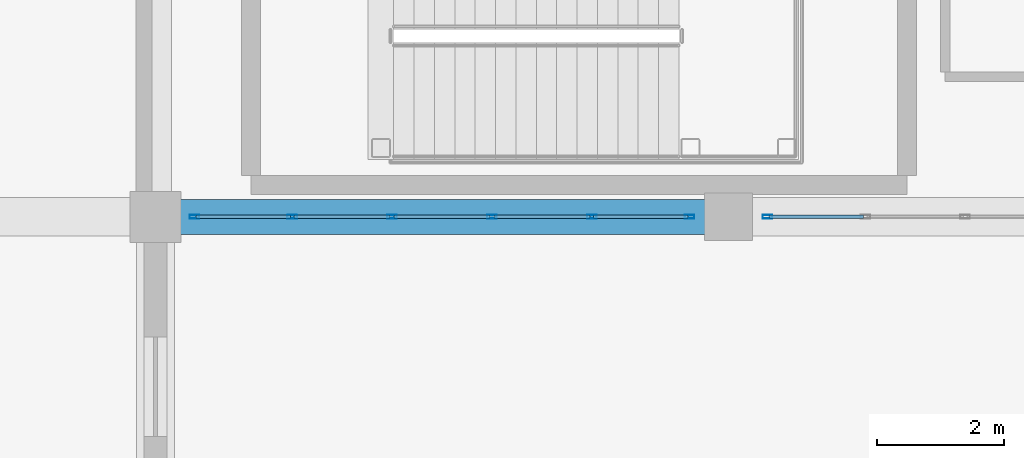
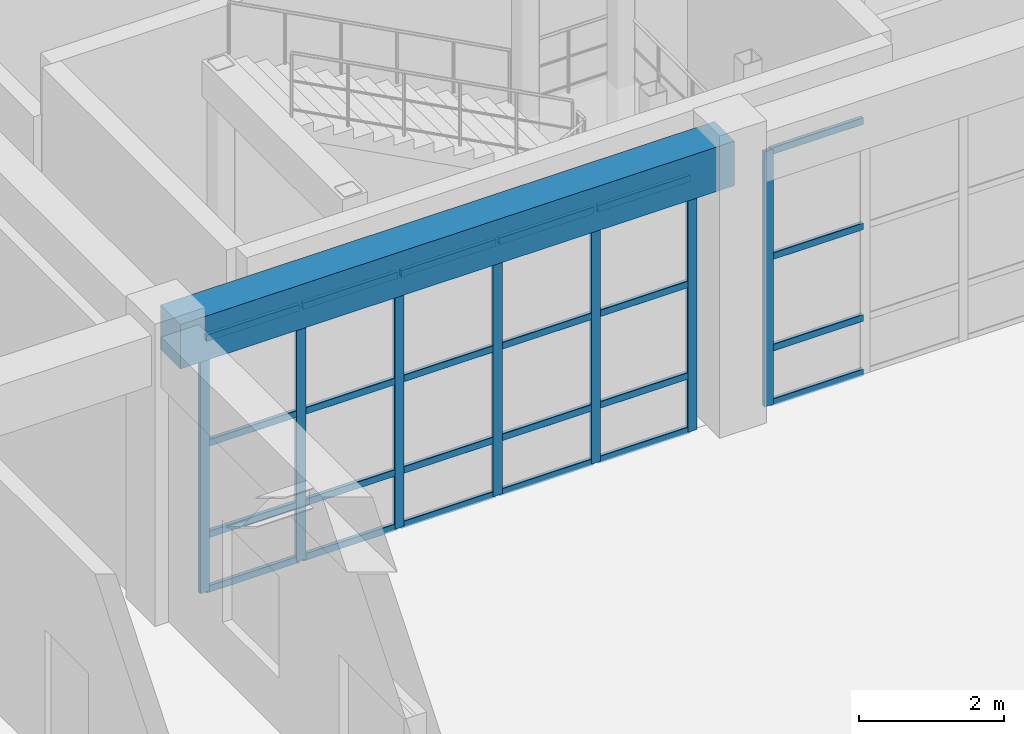
# One storey, part 70 of 128: 31 members, 1 beam, 2 elements without a shape of their own.
"""IFC4 building model written with IfcOpenShell, lengths in metres."""

from ifc_helpers import new_model, si_unit, direction, frame, origin, origin_2d, place, context, subcontext, project, spatial, rectangle, hollow_rectangle, extrude, material, material_profile, profile_set, type_object, element, aggregate, save


model = new_model("IFC4")

# Units and contexts
model_context = context("Model", 3, precision=1e-05, world=origin(), true_north=direction((0.0, 1.0)))
body_context = subcontext(model_context, "Body", "Model", "MODEL_VIEW")
ifc_project = project(units=[si_unit("LENGTHUNIT", "METRE"), si_unit("AREAUNIT", "SQUARE_METRE"), si_unit("VOLUMEUNIT", "CUBIC_METRE"), si_unit("PLANEANGLEUNIT", "RADIAN"), si_unit("MASSUNIT", "GRAM", prefix="KILO")], contexts=[model_context])

# Site, building, storey
site_placement = place(None, origin())
site = spatial("IfcSite", under=ifc_project, at=site_placement, CompositionType="ELEMENT")
building_placement = place(site_placement, origin())
building = spatial("IfcBuilding", under=site, at=building_placement, Name="Miravela Opera House", CompositionType="ELEMENT")
storey_placement = place(building_placement, origin())
storey = spatial("IfcBuildingStorey", under=building, at=storey_placement, Name="L00", CompositionType="ELEMENT", Elevation=0.0)

# Curtain wall, members
ifc_material_1 = material(Name="Anodised architectural bronze aluminium 6063-T6", Category="aluminium")
curtain_wall_type = type_object("IfcCurtainWallType", Name="ARC-CW-05", PredefinedType="NOTDEFINED", material=ifc_material_1)
curtain_wall_1_placement = place(storey_placement, origin())
curtain_wall_1 = element("IfcCurtainWall", 1, at=curtain_wall_1_placement, inside=storey, type_object=curtain_wall_type, Name="Courtyard Arcade Curtain Wall CW-L00-157", PredefinedType="NOTDEFINED")
ifc_material_profile_1 = material_profile(ifc_material_1, hollow_rectangle(XDim=0.06005859375, YDim=0.14990234375, WallThickness=0.00390625, InnerFilletRadius=0.001953125, OuterFilletRadius=0.00390625, at=origin_2d()), Name="CWM-60X150")
ifc_profile_set_1 = profile_set([ifc_material_profile_1])
member_type_1 = type_object("IfcMemberType", Name="ARC-CWM-150", PredefinedType="MULLION", material=ifc_profile_set_1)
member_1_placement = place(storey_placement, frame((117.610107421875, 103.0, 0.0), z_axis=(0.0, 0.0, 1.0), x_axis=(0.0, 1.0, 0.0)))
member_1 = element("IfcMember", 2, at=member_1_placement, type_object=member_type_1, Name="CW-05 mullion 1", PredefinedType="MULLION", context=body_context, shape_type="SweptSolid", body=[
    extrude(hollow_rectangle(XDim=0.06005859375, YDim=0.14990234375, WallThickness=0.00390625, InnerFilletRadius=0.001953125, OuterFilletRadius=0.00390625, at=origin_2d()), origin(), (0.0, 0.0, 1.0), 4.300048828125),
])
member_2_placement = place(storey_placement, frame((119.14794921875, 103.0, 0.0), z_axis=(0.0, 0.0, 1.0), x_axis=(0.0, 1.0, 0.0)))
member_2 = element("IfcMember", 3, at=member_2_placement, type_object=member_type_1, Name="CW-05 mullion 2", PredefinedType="MULLION", context=body_context, shape_type="SweptSolid", body=[
    extrude(hollow_rectangle(XDim=0.06005859375, YDim=0.14990234375, WallThickness=0.00390625, InnerFilletRadius=0.001953125, OuterFilletRadius=0.00390625, at=origin_2d()), origin(), (0.0, 0.0, 1.0), 4.300048828125),
])
member_3_placement = place(storey_placement, frame((120.716064453125, 103.0, 0.0), z_axis=(0.0, 0.0, 1.0), x_axis=(0.0, 1.0, 0.0)))
member_3 = element("IfcMember", 4, at=member_3_placement, type_object=member_type_1, Name="CW-05 mullion 3", PredefinedType="MULLION", context=body_context, shape_type="SweptSolid", body=[
    extrude(hollow_rectangle(XDim=0.06005859375, YDim=0.14990234375, WallThickness=0.00390625, InnerFilletRadius=0.001953125, OuterFilletRadius=0.00390625, at=origin_2d()), origin(), (0.0, 0.0, 1.0), 4.300048828125),
])
member_4_placement = place(storey_placement, frame((122.283935546875, 103.0, 0.0), z_axis=(0.0, 0.0, 1.0), x_axis=(0.0, 1.0, 0.0)))
member_4 = element("IfcMember", 5, at=member_4_placement, type_object=member_type_1, Name="CW-05 mullion 4", PredefinedType="MULLION", context=body_context, shape_type="SweptSolid", body=[
    extrude(hollow_rectangle(XDim=0.06005859375, YDim=0.14990234375, WallThickness=0.00390625, InnerFilletRadius=0.001953125, OuterFilletRadius=0.00390625, at=origin_2d()), origin(), (0.0, 0.0, 1.0), 4.300048828125),
])
member_5_placement = place(storey_placement, frame((123.85205078125, 103.0, 0.0), z_axis=(0.0, 0.0, 1.0), x_axis=(0.0, 1.0, 0.0)))
member_5 = element("IfcMember", 6, at=member_5_placement, type_object=member_type_1, Name="CW-05 mullion 5", PredefinedType="MULLION", context=body_context, shape_type="SweptSolid", body=[
    extrude(hollow_rectangle(XDim=0.06005859375, YDim=0.14990234375, WallThickness=0.00390625, InnerFilletRadius=0.001953125, OuterFilletRadius=0.00390625, at=origin_2d()), origin(), (0.0, 0.0, 1.0), 4.300048828125),
])
member_6_placement = place(storey_placement, frame((125.389892578125, 103.0, 0.0), z_axis=(0.0, 0.0, 1.0), x_axis=(0.0, 1.0, 0.0)))
member_6 = element("IfcMember", 7, at=member_6_placement, type_object=member_type_1, Name="CW-05 mullion 6", PredefinedType="MULLION", context=body_context, shape_type="SweptSolid", body=[
    extrude(hollow_rectangle(XDim=0.06005859375, YDim=0.14990234375, WallThickness=0.00390625, InnerFilletRadius=0.001953125, OuterFilletRadius=0.00390625, at=origin_2d()), origin(), (0.0, 0.0, 1.0), 4.300048828125),
])

# Curtain wall, member
curtain_wall_2_placement = place(storey_placement, origin())
curtain_wall_2 = element("IfcCurtainWall", 8, at=curtain_wall_2_placement, inside=storey, type_object=curtain_wall_type, Name="Courtyard Arcade Curtain Wall CW-L00-161", PredefinedType="NOTDEFINED")
member_7_placement = place(storey_placement, frame((126.610107421875, 103.0, 0.0), z_axis=(0.0, 0.0, 1.0), x_axis=(0.0, 1.0, 0.0)))
member_7 = element("IfcMember", 9, at=member_7_placement, type_object=member_type_1, Name="CW-05 mullion 1", PredefinedType="MULLION", context=body_context, shape_type="SweptSolid", body=[
    extrude(hollow_rectangle(XDim=0.06005859375, YDim=0.14990234375, WallThickness=0.00390625, InnerFilletRadius=0.001953125, OuterFilletRadius=0.00390625, at=origin_2d()), origin(), (0.0, 0.0, 1.0), 4.300048828125),
])

# Member
ifc_material_profile_2 = material_profile(ifc_material_1, hollow_rectangle(XDim=0.06005859375, YDim=0.114990234375, WallThickness=0.00390625, InnerFilletRadius=0.001953125, OuterFilletRadius=0.00390625, at=origin_2d()), Name="CWT-60X115")
ifc_profile_set_2 = profile_set([ifc_material_profile_2])
member_type_2 = type_object("IfcMemberType", Name="ARC-CWT-115", PredefinedType="USERDEFINED", material=ifc_profile_set_2)
member_8_placement = place(storey_placement, frame((117.639892578125, 103.0, 0.030029296875), z_axis=(1.0, 0.0, 0.0), x_axis=(0.0, 1.0, 0.0)))
member_8 = element("IfcMember", 10, at=member_8_placement, type_object=member_type_2, Name="CW-05 transom 1.1", ObjectType="TRANSOM", PredefinedType="USERDEFINED", context=body_context, shape_type="SweptSolid", body=[
    extrude(hollow_rectangle(XDim=0.06005859375, YDim=0.114990234375, WallThickness=0.00390625, InnerFilletRadius=0.001953125, OuterFilletRadius=0.00390625, at=origin_2d()), origin(), (0.0, 0.0, 1.0), 1.47802734375),
])

member_9_placement = place(storey_placement, frame((117.639892578125, 103.0, 0.949951171875), z_axis=(1.0, 0.0, 0.0), x_axis=(0.0, 1.0, 0.0)))
member_9 = element("IfcMember", 11, at=member_9_placement, type_object=member_type_2, Name="CW-05 transom 1.2", ObjectType="TRANSOM", PredefinedType="USERDEFINED", context=body_context, shape_type="SweptSolid", body=[
    extrude(hollow_rectangle(XDim=0.06005859375, YDim=0.114990234375, WallThickness=0.00390625, InnerFilletRadius=0.001953125, OuterFilletRadius=0.00390625, at=origin_2d()), origin(), (0.0, 0.0, 1.0), 1.47802734375),
])

member_10_placement = place(storey_placement, frame((117.639892578125, 103.0, 2.493896484375), z_axis=(1.0, 0.0, 0.0), x_axis=(0.0, 1.0, 0.0)))
member_10 = element("IfcMember", 12, at=member_10_placement, type_object=member_type_2, Name="CW-05 transom 1.3", ObjectType="TRANSOM", PredefinedType="USERDEFINED", context=body_context, shape_type="SweptSolid", body=[
    extrude(hollow_rectangle(XDim=0.06005859375, YDim=0.114990234375, WallThickness=0.00390625, InnerFilletRadius=0.001953125, OuterFilletRadius=0.00390625, at=origin_2d()), origin(), (0.0, 0.0, 1.0), 1.47802734375),
])

member_11_placement = place(storey_placement, frame((117.639892578125, 103.0, 4.27001953125), z_axis=(1.0, 0.0, 0.0), x_axis=(0.0, 1.0, 0.0)))
member_11 = element("IfcMember", 13, at=member_11_placement, type_object=member_type_2, Name="CW-05 transom 1.4", ObjectType="TRANSOM", PredefinedType="USERDEFINED", context=body_context, shape_type="SweptSolid", body=[
    extrude(hollow_rectangle(XDim=0.06005859375, YDim=0.114990234375, WallThickness=0.00390625, InnerFilletRadius=0.001953125, OuterFilletRadius=0.00390625, at=origin_2d()), origin(), (0.0, 0.0, 1.0), 1.47802734375),
])

member_12_placement = place(storey_placement, frame((119.177978515625, 103.0, 0.030029296875), z_axis=(1.0, 0.0, 0.0), x_axis=(0.0, 1.0, 0.0)))
member_12 = element("IfcMember", 14, at=member_12_placement, type_object=member_type_2, Name="CW-05 transom 2.1", ObjectType="TRANSOM", PredefinedType="USERDEFINED", context=body_context, shape_type="SweptSolid", body=[
    extrude(hollow_rectangle(XDim=0.06005859375, YDim=0.114990234375, WallThickness=0.00390625, InnerFilletRadius=0.001953125, OuterFilletRadius=0.00390625, at=origin_2d()), origin(), (0.0, 0.0, 1.0), 1.508056640625),
])

member_13_placement = place(storey_placement, frame((119.177978515625, 103.0, 0.949951171875), z_axis=(1.0, 0.0, 0.0), x_axis=(0.0, 1.0, 0.0)))
member_13 = element("IfcMember", 15, at=member_13_placement, type_object=member_type_2, Name="CW-05 transom 2.2", ObjectType="TRANSOM", PredefinedType="USERDEFINED", context=body_context, shape_type="SweptSolid", body=[
    extrude(hollow_rectangle(XDim=0.06005859375, YDim=0.114990234375, WallThickness=0.00390625, InnerFilletRadius=0.001953125, OuterFilletRadius=0.00390625, at=origin_2d()), origin(), (0.0, 0.0, 1.0), 1.508056640625),
])

member_14_placement = place(storey_placement, frame((119.177978515625, 103.0, 2.493896484375), z_axis=(1.0, 0.0, 0.0), x_axis=(0.0, 1.0, 0.0)))
member_14 = element("IfcMember", 16, at=member_14_placement, type_object=member_type_2, Name="CW-05 transom 2.3", ObjectType="TRANSOM", PredefinedType="USERDEFINED", context=body_context, shape_type="SweptSolid", body=[
    extrude(hollow_rectangle(XDim=0.06005859375, YDim=0.114990234375, WallThickness=0.00390625, InnerFilletRadius=0.001953125, OuterFilletRadius=0.00390625, at=origin_2d()), origin(), (0.0, 0.0, 1.0), 1.508056640625),
])

member_15_placement = place(storey_placement, frame((119.177978515625, 103.0, 4.27001953125), z_axis=(1.0, 0.0, 0.0), x_axis=(0.0, 1.0, 0.0)))
member_15 = element("IfcMember", 17, at=member_15_placement, type_object=member_type_2, Name="CW-05 transom 2.4", ObjectType="TRANSOM", PredefinedType="USERDEFINED", context=body_context, shape_type="SweptSolid", body=[
    extrude(hollow_rectangle(XDim=0.06005859375, YDim=0.114990234375, WallThickness=0.00390625, InnerFilletRadius=0.001953125, OuterFilletRadius=0.00390625, at=origin_2d()), origin(), (0.0, 0.0, 1.0), 1.508056640625),
])

member_16_placement = place(storey_placement, frame((120.74609375, 103.0, 0.030029296875), z_axis=(1.0, 0.0, 0.0), x_axis=(0.0, 1.0, 0.0)))
member_16 = element("IfcMember", 18, at=member_16_placement, type_object=member_type_2, Name="CW-05 transom 3.1", ObjectType="TRANSOM", PredefinedType="USERDEFINED", context=body_context, shape_type="SweptSolid", body=[
    extrude(hollow_rectangle(XDim=0.06005859375, YDim=0.114990234375, WallThickness=0.00390625, InnerFilletRadius=0.001953125, OuterFilletRadius=0.00390625, at=origin_2d()), origin(), (0.0, 0.0, 1.0), 1.5078125),
])

member_17_placement = place(storey_placement, frame((120.74609375, 103.0, 0.949951171875), z_axis=(1.0, 0.0, 0.0), x_axis=(0.0, 1.0, 0.0)))
member_17 = element("IfcMember", 19, at=member_17_placement, type_object=member_type_2, Name="CW-05 transom 3.2", ObjectType="TRANSOM", PredefinedType="USERDEFINED", context=body_context, shape_type="SweptSolid", body=[
    extrude(hollow_rectangle(XDim=0.06005859375, YDim=0.114990234375, WallThickness=0.00390625, InnerFilletRadius=0.001953125, OuterFilletRadius=0.00390625, at=origin_2d()), origin(), (0.0, 0.0, 1.0), 1.5078125),
])

member_18_placement = place(storey_placement, frame((120.74609375, 103.0, 2.493896484375), z_axis=(1.0, 0.0, 0.0), x_axis=(0.0, 1.0, 0.0)))
member_18 = element("IfcMember", 20, at=member_18_placement, type_object=member_type_2, Name="CW-05 transom 3.3", ObjectType="TRANSOM", PredefinedType="USERDEFINED", context=body_context, shape_type="SweptSolid", body=[
    extrude(hollow_rectangle(XDim=0.06005859375, YDim=0.114990234375, WallThickness=0.00390625, InnerFilletRadius=0.001953125, OuterFilletRadius=0.00390625, at=origin_2d()), origin(), (0.0, 0.0, 1.0), 1.5078125),
])

member_19_placement = place(storey_placement, frame((120.74609375, 103.0, 4.27001953125), z_axis=(1.0, 0.0, 0.0), x_axis=(0.0, 1.0, 0.0)))
member_19 = element("IfcMember", 21, at=member_19_placement, type_object=member_type_2, Name="CW-05 transom 3.4", ObjectType="TRANSOM", PredefinedType="USERDEFINED", context=body_context, shape_type="SweptSolid", body=[
    extrude(hollow_rectangle(XDim=0.06005859375, YDim=0.114990234375, WallThickness=0.00390625, InnerFilletRadius=0.001953125, OuterFilletRadius=0.00390625, at=origin_2d()), origin(), (0.0, 0.0, 1.0), 1.5078125),
])

member_20_placement = place(storey_placement, frame((122.31396484375, 103.0, 0.030029296875), z_axis=(1.0, 0.0, 0.0), x_axis=(0.0, 1.0, 0.0)))
member_20 = element("IfcMember", 22, at=member_20_placement, type_object=member_type_2, Name="CW-05 transom 4.1", ObjectType="TRANSOM", PredefinedType="USERDEFINED", context=body_context, shape_type="SweptSolid", body=[
    extrude(hollow_rectangle(XDim=0.06005859375, YDim=0.114990234375, WallThickness=0.00390625, InnerFilletRadius=0.001953125, OuterFilletRadius=0.00390625, at=origin_2d()), origin(), (0.0, 0.0, 1.0), 1.508056640625),
])

member_21_placement = place(storey_placement, frame((122.31396484375, 103.0, 0.949951171875), z_axis=(1.0, 0.0, 0.0), x_axis=(0.0, 1.0, 0.0)))
member_21 = element("IfcMember", 23, at=member_21_placement, type_object=member_type_2, Name="CW-05 transom 4.2", ObjectType="TRANSOM", PredefinedType="USERDEFINED", context=body_context, shape_type="SweptSolid", body=[
    extrude(hollow_rectangle(XDim=0.06005859375, YDim=0.114990234375, WallThickness=0.00390625, InnerFilletRadius=0.001953125, OuterFilletRadius=0.00390625, at=origin_2d()), origin(), (0.0, 0.0, 1.0), 1.508056640625),
])

member_22_placement = place(storey_placement, frame((122.31396484375, 103.0, 2.493896484375), z_axis=(1.0, 0.0, 0.0), x_axis=(0.0, 1.0, 0.0)))
member_22 = element("IfcMember", 24, at=member_22_placement, type_object=member_type_2, Name="CW-05 transom 4.3", ObjectType="TRANSOM", PredefinedType="USERDEFINED", context=body_context, shape_type="SweptSolid", body=[
    extrude(hollow_rectangle(XDim=0.06005859375, YDim=0.114990234375, WallThickness=0.00390625, InnerFilletRadius=0.001953125, OuterFilletRadius=0.00390625, at=origin_2d()), origin(), (0.0, 0.0, 1.0), 1.508056640625),
])

member_23_placement = place(storey_placement, frame((122.31396484375, 103.0, 4.27001953125), z_axis=(1.0, 0.0, 0.0), x_axis=(0.0, 1.0, 0.0)))
member_23 = element("IfcMember", 25, at=member_23_placement, type_object=member_type_2, Name="CW-05 transom 4.4", ObjectType="TRANSOM", PredefinedType="USERDEFINED", context=body_context, shape_type="SweptSolid", body=[
    extrude(hollow_rectangle(XDim=0.06005859375, YDim=0.114990234375, WallThickness=0.00390625, InnerFilletRadius=0.001953125, OuterFilletRadius=0.00390625, at=origin_2d()), origin(), (0.0, 0.0, 1.0), 1.508056640625),
])

member_24_placement = place(storey_placement, frame((123.882080078125, 103.0, 0.030029296875), z_axis=(1.0, 0.0, 0.0), x_axis=(0.0, 1.0, 0.0)))
member_24 = element("IfcMember", 26, at=member_24_placement, type_object=member_type_2, Name="CW-05 transom 5.1", ObjectType="TRANSOM", PredefinedType="USERDEFINED", context=body_context, shape_type="SweptSolid", body=[
    extrude(hollow_rectangle(XDim=0.06005859375, YDim=0.114990234375, WallThickness=0.00390625, InnerFilletRadius=0.001953125, OuterFilletRadius=0.00390625, at=origin_2d()), origin(), (0.0, 0.0, 1.0), 1.47802734375),
])

member_25_placement = place(storey_placement, frame((123.882080078125, 103.0, 0.949951171875), z_axis=(1.0, 0.0, 0.0), x_axis=(0.0, 1.0, 0.0)))
member_25 = element("IfcMember", 27, at=member_25_placement, type_object=member_type_2, Name="CW-05 transom 5.2", ObjectType="TRANSOM", PredefinedType="USERDEFINED", context=body_context, shape_type="SweptSolid", body=[
    extrude(hollow_rectangle(XDim=0.06005859375, YDim=0.114990234375, WallThickness=0.00390625, InnerFilletRadius=0.001953125, OuterFilletRadius=0.00390625, at=origin_2d()), origin(), (0.0, 0.0, 1.0), 1.47802734375),
])

member_26_placement = place(storey_placement, frame((123.882080078125, 103.0, 2.493896484375), z_axis=(1.0, 0.0, 0.0), x_axis=(0.0, 1.0, 0.0)))
member_26 = element("IfcMember", 28, at=member_26_placement, type_object=member_type_2, Name="CW-05 transom 5.3", ObjectType="TRANSOM", PredefinedType="USERDEFINED", context=body_context, shape_type="SweptSolid", body=[
    extrude(hollow_rectangle(XDim=0.06005859375, YDim=0.114990234375, WallThickness=0.00390625, InnerFilletRadius=0.001953125, OuterFilletRadius=0.00390625, at=origin_2d()), origin(), (0.0, 0.0, 1.0), 1.47802734375),
])

member_27_placement = place(storey_placement, frame((123.882080078125, 103.0, 4.27001953125), z_axis=(1.0, 0.0, 0.0), x_axis=(0.0, 1.0, 0.0)))
member_27 = element("IfcMember", 29, at=member_27_placement, type_object=member_type_2, Name="CW-05 transom 5.4", ObjectType="TRANSOM", PredefinedType="USERDEFINED", context=body_context, shape_type="SweptSolid", body=[
    extrude(hollow_rectangle(XDim=0.06005859375, YDim=0.114990234375, WallThickness=0.00390625, InnerFilletRadius=0.001953125, OuterFilletRadius=0.00390625, at=origin_2d()), origin(), (0.0, 0.0, 1.0), 1.47802734375),
])

aggregate(curtain_wall_1, [member_1, member_2, member_3, member_4, member_5, member_6, member_8, member_9, member_10, member_11, member_12, member_13, member_14, member_15, member_16, member_17, member_18, member_19, member_20, member_21, member_22, member_23, member_24, member_25, member_26, member_27])

member_28_placement = place(storey_placement, frame((126.639892578125, 103.0, 0.030029296875), z_axis=(1.0, 0.0, 0.0), x_axis=(0.0, 1.0, 0.0)))
member_28 = element("IfcMember", 30, at=member_28_placement, type_object=member_type_2, Name="CW-05 transom 1.1", ObjectType="TRANSOM", PredefinedType="USERDEFINED", context=body_context, shape_type="SweptSolid", body=[
    extrude(hollow_rectangle(XDim=0.06005859375, YDim=0.114990234375, WallThickness=0.00390625, InnerFilletRadius=0.001953125, OuterFilletRadius=0.00390625, at=origin_2d()), origin(), (0.0, 0.0, 1.0), 1.47802734375),
])

member_29_placement = place(storey_placement, frame((126.639892578125, 103.0, 0.949951171875), z_axis=(1.0, 0.0, 0.0), x_axis=(0.0, 1.0, 0.0)))
member_29 = element("IfcMember", 31, at=member_29_placement, type_object=member_type_2, Name="CW-05 transom 1.2", ObjectType="TRANSOM", PredefinedType="USERDEFINED", context=body_context, shape_type="SweptSolid", body=[
    extrude(hollow_rectangle(XDim=0.06005859375, YDim=0.114990234375, WallThickness=0.00390625, InnerFilletRadius=0.001953125, OuterFilletRadius=0.00390625, at=origin_2d()), origin(), (0.0, 0.0, 1.0), 1.47802734375),
])

member_30_placement = place(storey_placement, frame((126.639892578125, 103.0, 2.493896484375), z_axis=(1.0, 0.0, 0.0), x_axis=(0.0, 1.0, 0.0)))
member_30 = element("IfcMember", 32, at=member_30_placement, type_object=member_type_2, Name="CW-05 transom 1.3", ObjectType="TRANSOM", PredefinedType="USERDEFINED", context=body_context, shape_type="SweptSolid", body=[
    extrude(hollow_rectangle(XDim=0.06005859375, YDim=0.114990234375, WallThickness=0.00390625, InnerFilletRadius=0.001953125, OuterFilletRadius=0.00390625, at=origin_2d()), origin(), (0.0, 0.0, 1.0), 1.47802734375),
])

member_31_placement = place(storey_placement, frame((126.639892578125, 103.0, 4.27001953125), z_axis=(1.0, 0.0, 0.0), x_axis=(0.0, 1.0, 0.0)))
member_31 = element("IfcMember", 33, at=member_31_placement, type_object=member_type_2, Name="CW-05 transom 1.4", ObjectType="TRANSOM", PredefinedType="USERDEFINED", context=body_context, shape_type="SweptSolid", body=[
    extrude(hollow_rectangle(XDim=0.06005859375, YDim=0.114990234375, WallThickness=0.00390625, InnerFilletRadius=0.001953125, OuterFilletRadius=0.00390625, at=origin_2d()), origin(), (0.0, 0.0, 1.0), 1.47802734375),
])

aggregate(curtain_wall_2, [member_7, member_28, member_29, member_30, member_31])

# Beam
ifc_material_2 = material(Name="Concrete C35/45", Category="concrete")
ifc_material_profile_3 = material_profile(ifc_material_2, rectangle(XDim=0.550048828125, YDim=0.75, at=origin_2d()), Name="RC-BM-550X750")
ifc_profile_set_3 = profile_set([ifc_material_profile_3])
beam_type = type_object("IfcBeamType", Name="STR-BM-RC550X750", PredefinedType="BEAM", material=ifc_profile_set_3)
beam_placement = place(storey_placement, frame((117.080078125, 103.0, 4.47509765625), z_axis=(1.0, 0.0, 0.0), x_axis=(0.0, 1.0, 0.0)))
element("IfcBeam", 34, at=beam_placement, inside=storey, type_object=beam_type, Name="Floor Girder L00 14-15/L", PredefinedType="BEAM", context=body_context, shape_type="SweptSolid", body=[
    extrude(rectangle(XDim=0.550048828125, YDim=0.75, at=origin_2d()), origin(), (0.0, 0.0, 1.0), 8.83984375),
])

save(model, "model.ifc")
